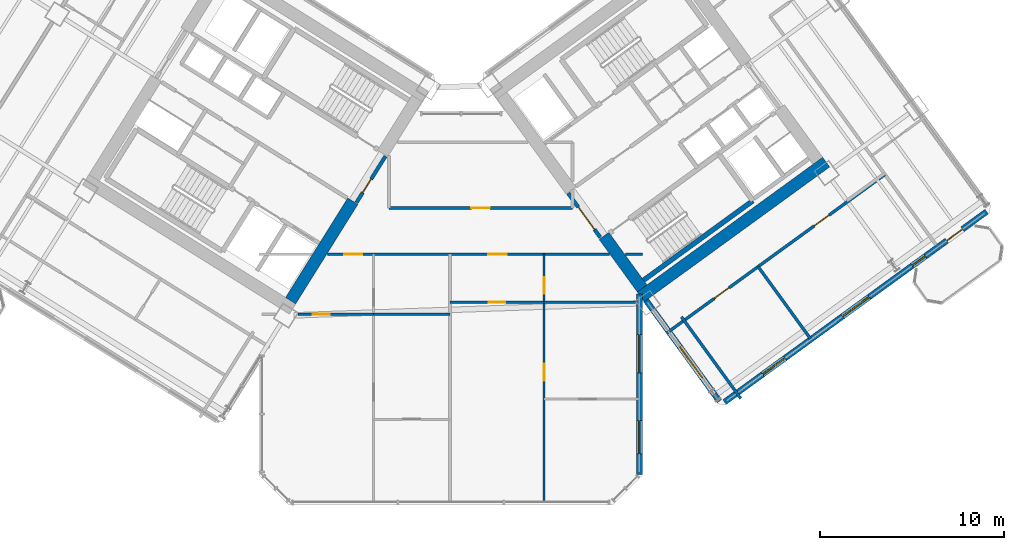
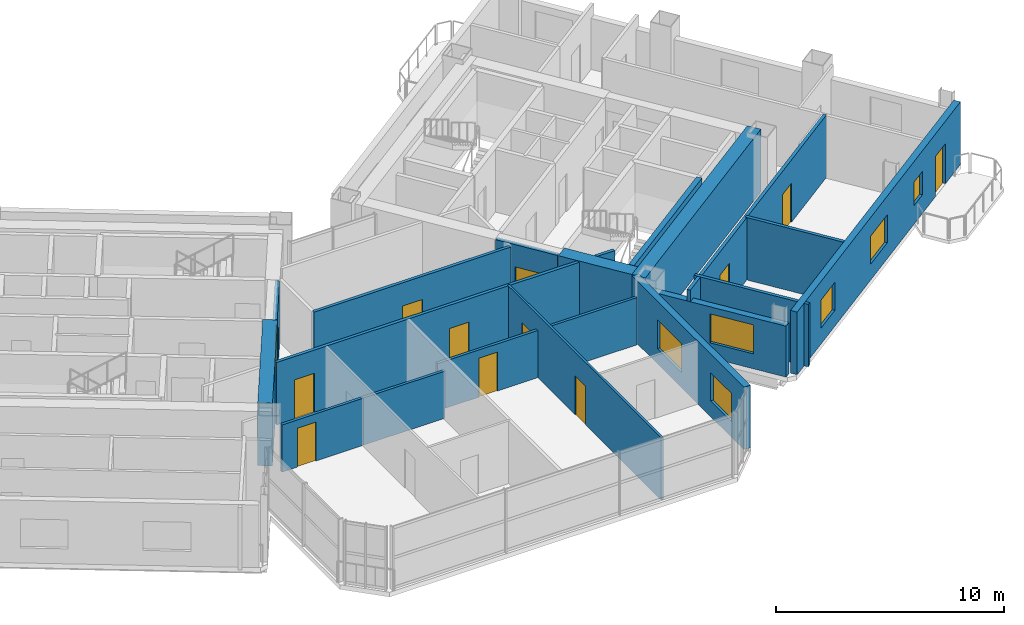
# One storey, part 17 of 28: 20 walls, 12 doors, 6 windows, 18 openings.
"""IFC4 building model written with IfcOpenShell, lengths in metres."""

import ifcopenshell
import ifcopenshell.guid

model = None  # the IFC model being written
_history = None  # IfcOwnerHistory: only IFC2X3 demands one
_inside = {}  # id of a spatial element -> (the spatial element, [elements in it])
_under = {}  # id of a project, library or spatial element -> (it, [spatial elements below it])
_declared = {}  # id of a project -> (the project, [libraries it declares])
_typed = {}  # id of a type object -> (the type object, [elements of that type])
_made_of = {}  # id of a material, layer set ... -> (it, [elements and type objects made of it])


def new_model(schema):
    """Start an empty IFC model of exactly this schema.

    Asked for "IFC4X3", IfcOpenShell would pick the latest addendum, in which some entities
    have other attributes; the version numbers below select the first issue.
    IFC2X3 requires an IfcOwnerHistory on every rooted entity: one is made here for all.
    """
    global model, _history
    if schema == "IFC4X3":
        model = ifcopenshell.file(schema_version=(4, 3, 0, 0))
    else:
        model = ifcopenshell.file(schema=schema)
    _inside.clear()
    _under.clear()
    _declared.clear()
    _typed.clear()
    _made_of.clear()
    _history = None
    if model.schema == "IFC2X3":
        org = make("IfcOrganization", Name="unknown")
        user = make(
            "IfcPersonAndOrganization",
            ThePerson=make("IfcPerson", FamilyName="unknown"),
            TheOrganization=org,
        )
        app = make(
            "IfcApplication",
            ApplicationDeveloper=org,
            Version="unknown",
            ApplicationFullName="unknown",
            ApplicationIdentifier="unknown",
        )
        _history = make(
            "IfcOwnerHistory",
            OwningUser=user,
            OwningApplication=app,
            ChangeAction="ADDED",
            CreationDate=0,
        )
    return model


def make(cls, **values):
    """One entity of the class cls with the attributes given. An attribute that is None is left unset."""
    return model.create_entity(
        cls, **{name: value for name, value in values.items() if value is not None}
    )


def rooted(cls, **values):
    """An entity with a GlobalId (a new one), such as an element, a storey or a relation."""
    return make(cls, GlobalId=ifcopenshell.guid.new(), OwnerHistory=_history, **values)


def si_unit(unit_type, name, prefix=None):
    """IfcSIUnit, for example si_unit("LENGTHUNIT", "METRE", prefix="MILLI")."""
    return make("IfcSIUnit", UnitType=unit_type, Prefix=prefix, Name=name)


def assignment(units):
    """IfcUnitAssignment: the units of a project."""
    return None if units is None else make("IfcUnitAssignment", Units=units)


def point(xyz):
    """IfcCartesianPoint."""
    return None if xyz is None else make("IfcCartesianPoint", Coordinates=xyz)


def direction(xyz):
    """IfcDirection."""
    return None if xyz is None else make("IfcDirection", DirectionRatios=xyz)


def frame(location, z_axis=None, x_axis=None):
    """IfcAxis2Placement3D, a coordinate frame: its origin and axes. An axis left out is left unset."""
    return make(
        "IfcAxis2Placement3D",
        Location=point(location),
        Axis=direction(z_axis),
        RefDirection=direction(x_axis),
    )


def frame_2d(location, x_axis=None):
    """IfcAxis2Placement2D, a coordinate frame in the plane: its origin and x axis."""
    return make(
        "IfcAxis2Placement2D", Location=point(location), RefDirection=direction(x_axis)
    )


def origin():
    """The frame at (0, 0, 0) with its axes left unset."""
    return frame((0.0, 0.0, 0.0))


def place(relative_to, where):
    """IfcLocalPlacement: puts the frame where relative to a parent placement (None: the world)."""
    return make(
        "IfcLocalPlacement", PlacementRelTo=relative_to, RelativePlacement=where
    )


def context(
    kind, dimensions, precision=None, world=None, true_north=None, identifier=None
):
    """IfcGeometricRepresentationContext, for example the 3D "Model" context."""
    return make(
        "IfcGeometricRepresentationContext",
        ContextIdentifier=identifier,
        ContextType=kind,
        CoordinateSpaceDimension=dimensions,
        Precision=precision,
        WorldCoordinateSystem=world,
        TrueNorth=true_north,
    )


def subcontext(parent, identifier, kind, view, scale=None):
    """IfcGeometricRepresentationSubContext, for example "Body" below "Model"."""
    return make(
        "IfcGeometricRepresentationSubContext",
        ContextIdentifier=identifier,
        ContextType=kind,
        ParentContext=parent,
        TargetScale=scale,
        TargetView=view,
    )


def project(units=None, contexts=None):
    """IfcProject with its units and contexts."""
    return rooted(
        "IfcProject",
        Name="project",
        RepresentationContexts=contexts,
        UnitsInContext=assignment(units),
    )


def spatial(cls, under=None, at=None, **own):
    """A site, building, storey or space (cls), placed at a placement, below another one or the project."""
    s = rooted(cls, ObjectPlacement=at, **own)
    if under is not None:
        _under.setdefault(under.id(), (under, []))[1].append(s)
    return s


def profile(cls, at=None, kind="AREA", **sizes):
    """A parametric profile (cls). Its sizes go by their IFC names, for example OverallWidth=200.0."""
    return make(cls, ProfileType=kind, Position=at, **sizes)


def rectangle(**sizes):
    """IfcRectangleProfileDef."""
    return profile("IfcRectangleProfileDef", **sizes)


def extrude(swept, where, along, depth):
    """IfcExtrudedAreaSolid: the profile swept, set in the frame where, extruded along a direction by depth."""
    return make(
        "IfcExtrudedAreaSolid",
        SweptArea=swept,
        Position=where,
        ExtrudedDirection=direction(along),
        Depth=depth,
    )


def shape(context_of_items, identifier, shape_type, items):
    """IfcShapeRepresentation: the items that make up one representation, for example the "Body"."""
    return make(
        "IfcShapeRepresentation",
        ContextOfItems=context_of_items,
        RepresentationIdentifier=identifier,
        RepresentationType=shape_type,
        Items=items,
    )


def source(mapping_origin, context_of_items, identifier, shape_type, items):
    """IfcRepresentationMap: a shape defined once, which mapped items show again and again."""
    return make(
        "IfcRepresentationMap",
        MappingOrigin=mapping_origin,
        MappedRepresentation=shape(context_of_items, identifier, shape_type, items),
    )


def transform(
    local_origin,
    x_axis=None,
    y_axis=None,
    z_axis=None,
    scale=None,
    scale2=None,
    scale3=None,
    uniform=True,
):
    """IfcCartesianTransformationOperator3D, or its non-uniform kind. x_axis, y_axis, z_axis: its Axis1, 2, 3."""
    if uniform:
        return make(
            "IfcCartesianTransformationOperator3D",
            Axis1=direction(x_axis),
            Axis2=direction(y_axis),
            LocalOrigin=point(local_origin),
            Scale=scale,
            Axis3=direction(z_axis),
        )
    return make(
        "IfcCartesianTransformationOperator3DnonUniform",
        Axis1=direction(x_axis),
        Axis2=direction(y_axis),
        LocalOrigin=point(local_origin),
        Scale=scale,
        Axis3=direction(z_axis),
        Scale2=scale2,
        Scale3=scale3,
    )


def mapped(mapping_source, mapping_target):
    """IfcMappedItem: shows the shape of a source again, moved by a transform."""
    return make(
        "IfcMappedItem", MappingSource=mapping_source, MappingTarget=mapping_target
    )


def material(Name=None, Category=None):
    """IfcMaterial."""
    return make("IfcMaterial", Name=Name, Category=Category)


def layer(
    of_material, thickness, ventilated=None, Name=None, Category=None, Priority=None
):
    """IfcMaterialLayer: one layer of a wall or slab, of a material (None: an air gap)."""
    return make(
        "IfcMaterialLayer",
        Material=of_material,
        LayerThickness=thickness,
        IsVentilated=ventilated,
        Name=Name,
        Category=Category,
        Priority=Priority,
    )


def layer_set(layers, Name=None):
    """IfcMaterialLayerSet."""
    return make("IfcMaterialLayerSet", MaterialLayers=layers, LayerSetName=Name)


def made_of(thing, what):
    """Note that an element or type object is made of a material, layer set ...; save() writes the relation."""
    if what is not None:
        _made_of.setdefault(what.id(), (what, []))[1].append(thing)
    return thing


def type_object(cls, material=None, **own):
    """A type object (cls), such as IfcWallType, which elements share."""
    return made_of(rooted(cls, **own), material)


def element(
    cls,
    number,
    at=None,
    inside=None,
    cuts=None,
    type_object=None,
    material=None,
    context=None,
    identifier="Body",
    shape_type=None,
    held_by="IfcProductDefinitionShape",
    body=None,
    shapes=None,
    **own,
):
    """One element of the class cls, such as IfcWall. Its Tag is "e" and its number.

    at: its placement. inside: the storey or other place that contains it. cuts: it is an
    opening in that element (IfcRelVoidsElement). A single representation is given by context,
    identifier, shape_type and body (its items); several are given by shapes. held_by: the class
    of the entity that holds the representations. save() writes the other relations.
    """
    e = rooted(cls, Tag="e%d" % number, ObjectPlacement=at, **own)
    if body is not None:
        shapes = [shape(context, identifier, shape_type, body)]
    if shapes is not None:
        e.Representation = make(held_by, Representations=shapes)
    if inside is not None:
        _inside.setdefault(inside.id(), (inside, []))[1].append(e)
    if cuts is not None:
        rooted(
            "IfcRelVoidsElement", RelatingBuildingElement=cuts, RelatedOpeningElement=e
        )
    if type_object is not None:
        _typed.setdefault(type_object.id(), (type_object, []))[1].append(e)
    return made_of(e, material)


def fill(opening, filler):
    """IfcRelFillsElement: the door or window that sits in an opening."""
    return rooted(
        "IfcRelFillsElement",
        RelatingOpeningElement=opening,
        RelatedBuildingElement=filler,
    )


def aggregate(whole, parts):
    """IfcRelAggregates: a whole, such as a stair, and the parts it consists of."""
    return rooted("IfcRelAggregates", RelatingObject=whole, RelatedObjects=parts)


def save(model, path):
    """Write the relations noted so far, then the file.

    IfcRelAggregates (storeys below a building ...), IfcRelContainedInSpatialStructure (elements
    in a storey), IfcRelDefinesByType, IfcRelAssociatesMaterial and IfcRelDeclares: one each for
    every whole, place, type object, material and project.
    """
    for whole, parts in _under.values():
        aggregate(whole, parts)
    for where, things in _inside.values():
        rooted(
            "IfcRelContainedInSpatialStructure",
            RelatedElements=things,
            RelatingStructure=where,
        )
    for kind, things in _typed.values():
        rooted("IfcRelDefinesByType", RelatedObjects=things, RelatingType=kind)
    for what, things in _made_of.values():
        rooted("IfcRelAssociatesMaterial", RelatedObjects=things, RelatingMaterial=what)
    for by, libraries in _declared.values():
        rooted("IfcRelDeclares", RelatingContext=by, RelatedDefinitions=libraries)
    model.write(path)


model = new_model("IFC4")

# Units and contexts
model_context = context("Model", 3, precision=1e-05, world=origin(), true_north=direction((0.0, 1.0)))
body_context = subcontext(model_context, "Body", "Model", "MODEL_VIEW")
ifc_project = project(units=[si_unit("LENGTHUNIT", "METRE"), si_unit("AREAUNIT", "SQUARE_METRE"), si_unit("VOLUMEUNIT", "CUBIC_METRE"), si_unit("PLANEANGLEUNIT", "RADIAN"), si_unit("MASSUNIT", "GRAM", prefix="KILO")], contexts=[model_context])

# Site, building, storey
site_placement = place(None, origin())
site = spatial("IfcSite", under=ifc_project, at=site_placement, CompositionType="ELEMENT")
building_placement = place(site_placement, origin())
building = spatial("IfcBuilding", under=site, at=building_placement, Name="Tlacorven Tower", CompositionType="ELEMENT")
storey_placement = place(building_placement, frame((0.0, 0.0, 42.0)))
storey = spatial("IfcBuildingStorey", under=building, at=storey_placement, Name="L10", CompositionType="ELEMENT", Elevation=42.0)

# Walls
ifc_material_1 = material(Name="Concrete C60/75", Category="concrete")
ifc_layer_1 = layer(ifc_material_1, 0.64990234375)
ifc_layer_set_1 = layer_set([ifc_layer_1], Name="Concrete C60/75")
wall_type_1 = type_object("IfcWallType", Name="WL-COR-650", PredefinedType="SHEAR", material=ifc_layer_set_1)
wall_1_placement = place(storey_placement, frame((36.683349609375, 18.30419921875, 0.0), z_axis=(0.0, 0.0, 1.0), x_axis=(-0.529899109053, -0.848060690178, 0.0)))
element("IfcWall", 1, at=wall_1_placement, inside=storey, type_object=wall_type_1, Name="L10 W core end wall E1.2", PredefinedType="SHEAR", context=body_context, shape_type="SweptSolid", body=[
    extrude(rectangle(XDim=6.375244140625, YDim=0.64990234375, at=frame_2d((3.1875, 0.0))), origin(), (0.0, 0.0, 1.0), 3.35009765625),
])
wall_2_placement = place(storey_placement, frame((52.318359375, 13.1103515625, 0.0), z_axis=(0.0, 0.0, 1.0), x_axis=(0.809019445368, 0.587781878776, 0.0)))
element("IfcWall", 2, at=wall_2_placement, inside=storey, type_object=wall_type_1, Name="L10 E core shear wall S1", PredefinedType="SHEAR", context=body_context, shape_type="SweptSolid", body=[
    extrude(rectangle(XDim=12.43994140625, YDim=0.64990234375, at=frame_2d((6.219970703125, 0.0))), origin(), (0.0, 0.0, 1.0), 3.35009765625),
])
wall_3_placement = place(storey_placement, frame((52.390380859375, 13.564208984375, 0.0), z_axis=(0.0, 0.0, 1.0), x_axis=(-0.58779688989, 0.809008539037, 0.0)))
element("IfcWall", 3, at=wall_3_placement, inside=storey, type_object=wall_type_1, Name="L10 E core end wall E1.1", PredefinedType="SHEAR", context=body_context, shape_type="SweptSolid", body=[
    extrude(rectangle(XDim=3.525146484375, YDim=0.64990234375, at=frame_2d((1.7626953125, 0.0))), origin(), (0.0, 0.0, 1.0), 3.35009765625),
])

# Wall, openings, doors
ifc_material_2 = material(Name="Gypsum plasterboard acoustic partition", Category="gypsum")
ifc_layer_2 = layer(ifc_material_2, 0.159912109375)
ifc_layer_set_2 = layer_set([ifc_layer_2], Name="Gypsum plasterboard acoustic partition")
wall_type_2 = type_object("IfcWallType", Name="WL-DEM-160", PredefinedType="PARTITIONING", material=ifc_layer_set_2)
wall_4_placement = place(storey_placement, frame((35.29638671875, 15.419921875, 0.0), z_axis=(0.0, 0.0, 1.0), x_axis=(1.0, 0.0, 0.0)))
wall_4 = element("IfcWall", 4, at=wall_4_placement, inside=storey, type_object=wall_type_2, Name="L10 Knuckle Corridor South Wall", PredefinedType="PARTITIONING", context=body_context, shape_type="SweptSolid", body=[
    extrude(rectangle(XDim=15.310546875, YDim=0.159912109375, at=frame_2d((7.6552734375, 0.0))), origin(), (0.0, 0.0, 1.0), 3.340087890625),
])
opening_1_placement = place(wall_4_placement, frame((0.91015625, 0.0, 0.0)))
opening_1 = element("IfcOpeningElement", 5, at=opening_1_placement, cuts=wall_4, Name="Opening D11", PredefinedType="OPENING", context=body_context, shape_type="SweptSolid", body=[
    extrude(rectangle(XDim=1.0, YDim=2.10009765625, at=frame_2d((0.5, 1.050048828125))), frame((0.0, 0.08984375, 0.0), z_axis=(0.0, -1.0, 0.0), x_axis=(1.0, 0.0, 0.0)), (0.0, 0.0, 1.0), 0.179931640625),
])
opening_2_placement = place(wall_4_placement, frame((8.73974609375, 0.0, 0.0)))
opening_2 = element("IfcOpeningElement", 6, at=opening_2_placement, cuts=wall_4, Name="Opening D11", PredefinedType="OPENING", context=body_context, shape_type="SweptSolid", body=[
    extrude(rectangle(XDim=1.0, YDim=2.10009765625, at=frame_2d((0.5, 1.050048828125))), frame((0.0, 0.08984375, 0.0), z_axis=(0.0, -1.0, 0.0), x_axis=(1.0, 0.0, 0.0)), (0.0, 0.0, 1.0), 0.179931640625),
])
ifc_material_3 = material(Name="Fire-rated steel door assembly", Category="steel")
door_type_1 = type_object("IfcDoorType", Name="DR-FLT-FD60-1000", OperationType="NOTDEFINED", PredefinedType="DOOR", material=ifc_material_3)
shared_shape_1 = source(origin(), body_context, "Body", "SweptSolid", [
    extrude(rectangle(XDim=1.0, YDim=2.10009765625, at=frame_2d((0.5, 1.050048828125))), frame((0.0, 0.02490234375, 0.0), z_axis=(0.0, -1.0, 0.0), x_axis=(1.0, 0.0, 0.0)), (0.0, 0.0, 1.0), 0.050048828125),
])
door_1_placement = place(opening_1_placement, frame((1.0, 0.0, 0.0), z_axis=(0.0, 0.0, 1.0), x_axis=(-1.0, 0.0, 0.0)))
door_1 = element("IfcDoor", 7, at=door_1_placement, inside=storey, type_object=door_type_1, Name="L10 door 043", OperationType="SINGLE_SWING_LEFT", OverallHeight=2.10009765625, OverallWidth=1.0, PredefinedType="DOOR", context=body_context, shape_type="MappedRepresentation", body=[
    mapped(shared_shape_1, transform((0.0, 0.0, 0.0), scale=1.0)),
])
fill(opening_1, door_1)
door_2_placement = place(opening_2_placement, frame((1.0, 0.0, 0.0), z_axis=(0.0, 0.0, 1.0), x_axis=(-1.0, 0.0, 0.0)))
door_2 = element("IfcDoor", 8, at=door_2_placement, inside=storey, type_object=door_type_1, Name="L10 door 048", OperationType="SINGLE_SWING_RIGHT", OverallHeight=2.10009765625, OverallWidth=1.0, PredefinedType="DOOR", context=body_context, shape_type="MappedRepresentation", body=[
    mapped(shared_shape_1, transform((0.0, 0.0, 0.0), scale=1.0)),
])
fill(opening_2, door_2)

# Wall
wall_5_placement = place(storey_placement, frame((51.477294921875, 15.419921875, 0.0), z_axis=(0.0, 0.0, 1.0), x_axis=(1.0, 0.0, 0.0)))
element("IfcWall", 9, at=wall_5_placement, inside=storey, type_object=wall_type_2, Name="L10 Knuckle Corridor South Wall", PredefinedType="PARTITIONING", context=body_context, shape_type="SweptSolid", body=[
    extrude(rectangle(XDim=0.922607421875, YDim=0.159912109375, at=frame_2d((0.46142578125, 0.0))), origin(), (0.0, 0.0, 1.0), 3.340087890625),
])

# Wall, opening, door
wall_6_placement = place(storey_placement, frame((38.64990234375, 17.929931640625, 0.0), z_axis=(0.0, 0.0, 1.0), x_axis=(1.0, 0.0, 0.0)))
wall_6 = element("IfcWall", 10, at=wall_6_placement, inside=storey, type_object=wall_type_2, Name="L10 partition 72", PredefinedType="PARTITIONING", context=body_context, shape_type="SweptSolid", body=[
    extrude(rectangle(XDim=9.9501953125, YDim=0.159912109375, at=frame_2d((4.97509765625, 0.0))), origin(), (0.0, 0.0, 1.0), 3.340087890625),
])
opening_3_placement = place(wall_6_placement, frame((4.47509765625, 0.0, 0.0)))
opening_3 = element("IfcOpeningElement", 11, at=opening_3_placement, cuts=wall_6, Name="Opening D11", PredefinedType="OPENING", context=body_context, shape_type="SweptSolid", body=[
    extrude(rectangle(XDim=1.0, YDim=2.10009765625, at=frame_2d((0.5, 1.050048828125))), frame((0.0, 0.08984375, 0.0), z_axis=(0.0, -1.0, 0.0), x_axis=(1.0, 0.0, 0.0)), (0.0, 0.0, 1.0), 0.179931640625),
])
door_3_placement = place(opening_3_placement, origin())
door_3 = element("IfcDoor", 12, at=door_3_placement, inside=storey, type_object=door_type_1, Name="L10 door 038", OperationType="SINGLE_SWING_RIGHT", OverallHeight=2.10009765625, OverallWidth=1.0, PredefinedType="DOOR", context=body_context, shape_type="MappedRepresentation", body=[
    mapped(shared_shape_1, transform((0.0, 0.0, 0.0), scale=1.0)),
])
fill(opening_3, door_3)

# Wall, openings, doors
wall_7_placement = place(storey_placement, frame((53.70458984375, 11.1259765625, 0.0), z_axis=(0.0, 0.0, 1.0), x_axis=(0.809014504436, 0.587788679384, 0.0)))
wall_7 = element("IfcWall", 13, at=wall_7_placement, inside=storey, type_object=wall_type_2, Name="L10 partition 95", PredefinedType="PARTITIONING", context=body_context, shape_type="SweptSolid", body=[
    extrude(rectangle(XDim=14.669921875, YDim=0.159912109375, at=frame_2d((7.3349609375, 0.0))), origin(), (0.0, 0.0, 1.0), 3.340087890625),
])
opening_4_placement = place(wall_7_placement, frame((3.215087890625, 0.0, 0.0)))
opening_4 = element("IfcOpeningElement", 14, at=opening_4_placement, cuts=wall_7, Name="Opening D11", PredefinedType="OPENING", context=body_context, shape_type="SweptSolid", body=[
    extrude(rectangle(XDim=1.0, YDim=2.10009765625, at=frame_2d((0.5, 1.050048828125))), frame((0.0, 0.08984375, 0.0), z_axis=(0.0, -1.0, 0.0), x_axis=(1.0, 0.0, 0.0)), (0.0, 0.0, 1.0), 0.179931640625),
])
opening_5_placement = place(wall_7_placement, frame((9.9150390625, 0.0, 0.0)))
opening_5 = element("IfcOpeningElement", 15, at=opening_5_placement, cuts=wall_7, Name="Opening D11", PredefinedType="OPENING", context=body_context, shape_type="SweptSolid", body=[
    extrude(rectangle(XDim=1.0, YDim=2.10009765625, at=frame_2d((0.5, 1.050048828125))), frame((0.0, 0.08984375, 0.0), z_axis=(0.0, -1.0, 0.0), x_axis=(1.0, 0.0, 0.0)), (0.0, 0.0, 1.0), 0.179931640625),
])
door_4_placement = place(opening_4_placement, origin())
door_4 = element("IfcDoor", 16, at=door_4_placement, inside=storey, type_object=door_type_1, Name="L10 door 056", OperationType="SINGLE_SWING_RIGHT", OverallHeight=2.10009765625, OverallWidth=1.0, PredefinedType="DOOR", context=body_context, shape_type="MappedRepresentation", body=[
    mapped(shared_shape_1, transform((0.0, 0.0, 0.0), scale=1.0)),
])
fill(opening_4, door_4)
door_5_placement = place(opening_5_placement, origin())
door_5 = element("IfcDoor", 17, at=door_5_placement, inside=storey, type_object=door_type_1, Name="L10 door 057", OperationType="SINGLE_SWING_LEFT", OverallHeight=2.10009765625, OverallWidth=1.0, PredefinedType="DOOR", context=body_context, shape_type="MappedRepresentation", body=[
    mapped(shared_shape_1, transform((0.0, 0.0, 0.0), scale=1.0)),
])
fill(opening_5, door_5)

# Walls
wall_8_placement = place(storey_placement, frame((57.747314453125, 7.586181640625, 0.0), z_axis=(0.0, 0.0, 1.0), x_axis=(-0.587784893399, 0.809017255126, 0.0)))
element("IfcWall", 18, at=wall_8_placement, inside=storey, type_object=wall_type_2, Name="L10 EC West Throat Wall", PredefinedType="PARTITIONING", context=body_context, shape_type="SweptSolid", body=[
    extrude(rectangle(XDim=5.480224609375, YDim=0.159912109375, at=frame_2d((2.740234375, 0.0))), origin(), (0.0, 0.0, 1.0), 3.340087890625),
])
wall_9_placement = place(storey_placement, frame((61.538818359375, 10.822998046875, 0.0), z_axis=(0.0, 0.0, 1.0), x_axis=(-0.587785532001, 0.809016791155, 0.0)))
element("IfcWall", 19, at=wall_9_placement, inside=storey, type_object=wall_type_2, Name="L10 EC Demising Wall 1", PredefinedType="PARTITIONING", context=body_context, shape_type="SweptSolid", body=[
    extrude(rectangle(XDim=4.85009765625, YDim=0.159912109375, at=frame_2d((2.425048828125, 0.0))), origin(), (0.0, 0.0, 1.0), 3.340087890625),
])

# Wall, openings, door, windows
ifc_material_4 = material(Name="Precast concrete C45/55", Category="concrete")
ifc_layer_3 = layer(ifc_material_4, 0.320068359375)
ifc_layer_set_3 = layer_set([ifc_layer_3], Name="Precast concrete C45/55")
wall_type_3 = type_object("IfcWallType", Name="WL-EXT-320", PredefinedType="STANDARD", material=ifc_layer_set_3)
wall_10_placement = place(storey_placement, frame((71.097900390625, 17.73095703125, 0.0), z_axis=(0.0, 0.0, 1.0), x_axis=(-0.809021120468, -0.587779573171, 0.0)))
wall_10 = element("IfcWall", 20, at=wall_10_placement, inside=storey, type_object=wall_type_3, Name="L10 Masonry-Frame Recessed Facade Wall 6", PredefinedType="STANDARD", context=body_context, shape_type="SweptSolid", body=[
    extrude(rectangle(XDim=17.587646484375, YDim=0.320068359375, at=frame_2d((8.7939453125, 0.0))), origin(), (0.0, 0.0, 1.0), 3.35009765625),
])
opening_6_placement = place(wall_10_placement, frame((1.623779296875, 0.0, 0.0)))
opening_6 = element("IfcOpeningElement", 21, at=opening_6_placement, cuts=wall_10, Name="Opening D06", PredefinedType="OPENING", context=body_context, shape_type="SweptSolid", body=[
    extrude(rectangle(XDim=1.050048828125, YDim=2.14990234375, at=frame_2d((0.52490234375, 1.074951171875))), frame((0.0, 0.169921875, 0.0), z_axis=(0.0, -1.0, 0.0), x_axis=(1.0, 0.0, 0.0)), (0.0, 0.0, 1.0), 0.340087890625),
])
opening_7_placement = place(wall_10_placement, frame((4.103759765625, 0.0, 1.0)))
opening_7 = element("IfcOpeningElement", 22, at=opening_7_placement, cuts=wall_10, Name="Opening WN05", PredefinedType="OPENING", context=body_context, shape_type="SweptSolid", body=[
    extrude(rectangle(XDim=0.89990234375, YDim=1.25, at=frame_2d((0.449951171875, 0.625))), frame((0.0, 0.169921875, 0.0), z_axis=(0.0, -1.0, 0.0), x_axis=(1.0, 0.0, 0.0)), (0.0, 0.0, 1.0), 0.340087890625),
])
opening_8_placement = place(wall_10_placement, frame((7.878662109375, 0.0, 0.85009765625)))
opening_8 = element("IfcOpeningElement", 23, at=opening_8_placement, cuts=wall_10, Name="Opening WN01", PredefinedType="OPENING", context=body_context, shape_type="SweptSolid", body=[
    extrude(rectangle(XDim=1.800048828125, YDim=1.5, at=frame_2d((0.89990234375, 0.75))), frame((0.0, 0.169921875, 0.0), z_axis=(0.0, -1.0, 0.0), x_axis=(1.0, 0.0, 0.0)), (0.0, 0.0, 1.0), 0.340087890625),
])
opening_9_placement = place(wall_10_placement, frame((13.52880859375, 0.0, 0.85009765625)))
opening_9 = element("IfcOpeningElement", 24, at=opening_9_placement, cuts=wall_10, Name="Opening WN02", PredefinedType="OPENING", context=body_context, shape_type="SweptSolid", body=[
    extrude(rectangle(XDim=1.5, YDim=1.5, at=frame_2d((0.75, 0.75))), frame((0.0, 0.169921875, 0.0), z_axis=(0.0, -1.0, 0.0), x_axis=(1.0, 0.0, 0.0)), (0.0, 0.0, 1.0), 0.340087890625),
])
ifc_material_5 = material(Name="Powder-coated aluminium and timber door", Category="wood")
door_type_2 = type_object("IfcDoorType", Name="DR-EXT-BALC-1050", OperationType="NOTDEFINED", PredefinedType="DOOR", material=ifc_material_5)
shared_shape_2 = source(origin(), body_context, "Body", "SweptSolid", [
    extrude(rectangle(XDim=1.050048828125, YDim=2.14990234375, at=frame_2d((0.52490234375, 1.074951171875))), frame((0.0, 0.02490234375, 0.0), z_axis=(0.0, -1.0, 0.0), x_axis=(1.0, 0.0, 0.0)), (0.0, 0.0, 1.0), 0.050048828125),
])
door_6_placement = place(opening_6_placement, origin())
door_6 = element("IfcDoor", 25, at=door_6_placement, inside=storey, type_object=door_type_2, Name="L10 Outdoor Access Door BAL-L10-E-OUT", OperationType="SINGLE_SWING_LEFT", OverallHeight=2.14990234375, OverallWidth=1.050048828125, PredefinedType="DOOR", context=body_context, shape_type="MappedRepresentation", body=[
    mapped(shared_shape_2, transform((0.0, 0.0, 0.0), scale=1.0)),
])
fill(opening_6, door_6)
ifc_material_6 = material(Name="Dark solar low-E double glazing in anodised aluminium frame", Category="aluminium")
window_type_1 = type_object("IfcWindowType", Name="WN-APT-1800X1650", PartitioningType="SINGLE_PANEL", PredefinedType="WINDOW", material=ifc_material_6)
shared_shape_3 = source(origin(), body_context, "Body", "SweptSolid", [
    extrude(rectangle(XDim=1.800048828125, YDim=1.5, at=frame_2d((0.89990234375, 0.75))), frame((0.0, 0.030029296875, 0.0), z_axis=(0.0, -1.0, 0.0), x_axis=(1.0, 0.0, 0.0)), (0.0, 0.0, 1.0), 0.06005859375),
])
window_1_placement = place(opening_8_placement, origin())
window_1 = element("IfcWindow", 26, at=window_1_placement, inside=storey, type_object=window_type_1, Name="L10 Recessed Masonry-Frame Window L10-06.2", OverallHeight=1.5, OverallWidth=1.800048828125, PartitioningType="SINGLE_PANEL", PredefinedType="WINDOW", context=body_context, shape_type="MappedRepresentation", body=[
    mapped(shared_shape_3, transform((0.0, 0.0, 0.0), scale=1.0)),
])
fill(opening_8, window_1)
window_type_2 = type_object("IfcWindowType", Name="WN-APT-1500X1650", PartitioningType="SINGLE_PANEL", PredefinedType="WINDOW", material=ifc_material_6)
shared_shape_4 = source(origin(), body_context, "Body", "SweptSolid", [
    extrude(rectangle(XDim=1.5, YDim=1.5, at=frame_2d((0.75, 0.75))), frame((0.0, 0.030029296875, 0.0), z_axis=(0.0, -1.0, 0.0), x_axis=(1.0, 0.0, 0.0)), (0.0, 0.0, 1.0), 0.06005859375),
])
window_2_placement = place(opening_9_placement, origin())
window_2 = element("IfcWindow", 27, at=window_2_placement, inside=storey, type_object=window_type_2, Name="L10 Recessed Masonry-Frame Window L10-06.3", OverallHeight=1.5, OverallWidth=1.5, PartitioningType="SINGLE_PANEL", PredefinedType="WINDOW", context=body_context, shape_type="MappedRepresentation", body=[
    mapped(shared_shape_4, transform((0.0, 0.0, 0.0), scale=1.0)),
])
fill(opening_9, window_2)
window_type_3 = type_object("IfcWindowType", Name="WN-APT-0900X1350", PartitioningType="SINGLE_PANEL", PredefinedType="WINDOW", material=ifc_material_6)
shared_shape_5 = source(origin(), body_context, "Body", "SweptSolid", [
    extrude(rectangle(XDim=0.89990234375, YDim=1.25, at=frame_2d((0.449951171875, 0.625))), frame((0.0, 0.030029296875, 0.0), z_axis=(0.0, -1.0, 0.0), x_axis=(1.0, 0.0, 0.0)), (0.0, 0.0, 1.0), 0.06005859375),
])
window_3_placement = place(opening_7_placement, origin())
window_3 = element("IfcWindow", 28, at=window_3_placement, inside=storey, type_object=window_type_3, Name="L10 Recessed Masonry-Frame Window L10-06.1", OverallHeight=1.25, OverallWidth=0.89990234375, PartitioningType="SINGLE_PANEL", PredefinedType="WINDOW", context=body_context, shape_type="MappedRepresentation", body=[
    mapped(shared_shape_5, transform((0.0, 0.0, 0.0), scale=1.0)),
])
fill(opening_7, window_3)

# Wall, opening, window
wall_11_placement = place(storey_placement, frame((56.5810546875, 7.43896484375, 0.0), z_axis=(0.0, 0.0, 1.0), x_axis=(-0.587785875463, 0.809016541614, 0.0)))
wall_11 = element("IfcWall", 29, at=wall_11_placement, inside=storey, type_object=wall_type_3, Name="L10 Masonry-Frame Recessed Facade Wall 7", PredefinedType="STANDARD", context=body_context, shape_type="SweptSolid", body=[
    extrude(rectangle(XDim=6.773681640625, YDim=0.320068359375, at=frame_2d((3.38671875, 0.0))), origin(), (0.0, 0.0, 1.0), 2.72509765625),
])
opening_10_placement = place(wall_11_placement, frame((1.55615234375, 0.0, 0.800048828125)))
opening_10 = element("IfcOpeningElement", 30, at=opening_10_placement, cuts=wall_11, Name="Opening WN04", PredefinedType="OPENING", context=body_context, shape_type="SweptSolid", body=[
    extrude(rectangle(XDim=2.10009765625, YDim=1.550048828125, at=frame_2d((1.050048828125, 0.77490234375))), frame((0.0, 0.169921875, 0.0), z_axis=(0.0, -1.0, 0.0), x_axis=(1.0, 0.0, 0.0)), (0.0, 0.0, 1.0), 0.340087890625),
])
window_type_4 = type_object("IfcWindowType", Name="WN-APT-2100X1750", PartitioningType="SINGLE_PANEL", PredefinedType="WINDOW", material=ifc_material_6)
shared_shape_6 = source(origin(), body_context, "Body", "SweptSolid", [
    extrude(rectangle(XDim=2.10009765625, YDim=1.550048828125, at=frame_2d((1.050048828125, 0.77490234375))), frame((0.0, 0.030029296875, 0.0), z_axis=(0.0, -1.0, 0.0), x_axis=(1.0, 0.0, 0.0)), (0.0, 0.0, 1.0), 0.06005859375),
])
window_4_placement = place(opening_10_placement, origin())
window_4 = element("IfcWindow", 31, at=window_4_placement, inside=storey, type_object=window_type_4, Name="L10 Recessed Masonry-Frame Window L10-07.1", OverallHeight=1.550048828125, OverallWidth=2.10009765625, PartitioningType="SINGLE_PANEL", PredefinedType="WINDOW", context=body_context, shape_type="MappedRepresentation", body=[
    mapped(shared_shape_6, transform((0.0, 0.0, 0.0), scale=1.0)),
])
fill(opening_10, window_4)

# Wall, openings, windows
wall_12_placement = place(storey_placement, frame((52.239990234375, 13.260986328125, 0.0), z_axis=(0.0, 0.0, 1.0), x_axis=(0.0, -1.0, 0.0)))
wall_12 = element("IfcWall", 32, at=wall_12_placement, inside=storey, type_object=wall_type_3, Name="L10 Masonry-Frame Recessed Facade Wall 8", PredefinedType="STANDARD", context=body_context, shape_type="SweptSolid", body=[
    extrude(rectangle(XDim=9.794677734375, YDim=0.320068359375, at=frame_2d((4.8974609375, 0.0))), origin(), (0.0, 0.0, 1.0), 3.35009765625),
])
opening_11_placement = place(wall_12_placement, frame((2.199462890625, 0.0, 0.800048828125)))
opening_11 = element("IfcOpeningElement", 33, at=opening_11_placement, cuts=wall_12, Name="Opening WN04", PredefinedType="OPENING", context=body_context, shape_type="SweptSolid", body=[
    extrude(rectangle(XDim=2.10009765625, YDim=1.550048828125, at=frame_2d((1.050048828125, 0.77490234375))), frame((0.0, 0.169921875, 0.0), z_axis=(0.0, -1.0, 0.0), x_axis=(1.0, 0.0, 0.0)), (0.0, 0.0, 1.0), 0.340087890625),
])
opening_12_placement = place(wall_12_placement, frame((6.880126953125, 0.0, 0.85009765625)))
opening_12 = element("IfcOpeningElement", 34, at=opening_12_placement, cuts=wall_12, Name="Opening WN01", PredefinedType="OPENING", context=body_context, shape_type="SweptSolid", body=[
    extrude(rectangle(XDim=1.800048828125, YDim=1.5, at=frame_2d((0.89990234375, 0.75))), frame((0.0, 0.169921875, 0.0), z_axis=(0.0, -1.0, 0.0), x_axis=(1.0, 0.0, 0.0)), (0.0, 0.0, 1.0), 0.340087890625),
])
window_5_placement = place(opening_11_placement, origin())
window_5 = element("IfcWindow", 35, at=window_5_placement, inside=storey, type_object=window_type_4, Name="L10 Recessed Masonry-Frame Window L10-08.1", OverallHeight=1.550048828125, OverallWidth=2.10009765625, PartitioningType="SINGLE_PANEL", PredefinedType="WINDOW", context=body_context, shape_type="MappedRepresentation", body=[
    mapped(shared_shape_6, transform((0.0, 0.0, 0.0), scale=1.0)),
])
fill(opening_11, window_5)
window_6_placement = place(opening_12_placement, origin())
window_6 = element("IfcWindow", 36, at=window_6_placement, inside=storey, type_object=window_type_1, Name="L10 Recessed Masonry-Frame Window L10-08.2", OverallHeight=1.5, OverallWidth=1.800048828125, PartitioningType="SINGLE_PANEL", PredefinedType="WINDOW", context=body_context, shape_type="MappedRepresentation", body=[
    mapped(shared_shape_3, transform((0.0, 0.0, 0.0), scale=1.0)),
])
fill(opening_12, window_6)

# Wall, openings, doors
ifc_material_7 = material(Name="Gypsum plasterboard partition", Category="gypsum")
ifc_layer_4 = layer(ifc_material_7, 0.110107421875)
ifc_layer_set_4 = layer_set([ifc_layer_4], Name="Gypsum plasterboard partition")
wall_type_4 = type_object("IfcWallType", Name="WL-INT-110", PredefinedType="PARTITIONING", material=ifc_layer_set_4)
wall_13_placement = place(storey_placement, frame((47.072021484375, 1.9599609375, 0.0), z_axis=(0.0, 0.0, 1.0), x_axis=(0.0, 1.0, 0.0)))
wall_13 = element("IfcWall", 37, at=wall_13_placement, inside=storey, type_object=wall_type_4, Name="L10 partition 82", PredefinedType="PARTITIONING", context=body_context, shape_type="SweptSolid", body=[
    extrude(rectangle(XDim=13.4599609375, YDim=0.110107421875, at=frame_2d((6.72998046875, 0.0))), origin(), (0.0, 0.0, 1.0), 3.340087890625),
])
opening_13_placement = place(wall_13_placement, frame((6.60009765625, 0.0, 0.0)))
opening_13 = element("IfcOpeningElement", 38, at=opening_13_placement, cuts=wall_13, Name="Opening D12", PredefinedType="OPENING", context=body_context, shape_type="SweptSolid", body=[
    extrude(rectangle(XDim=0.919921875, YDim=2.080078125, at=frame_2d((0.4599609375, 1.0400390625))), frame((0.0, 0.06494140625, 0.0), z_axis=(0.0, -1.0, 0.0), x_axis=(1.0, 0.0, 0.0)), (0.0, 0.0, 1.0), 0.130126953125),
])
opening_14_placement = place(wall_13_placement, frame((11.320068359375, 0.0, 0.0)))
opening_14 = element("IfcOpeningElement", 39, at=opening_14_placement, cuts=wall_13, Name="Opening D13", PredefinedType="OPENING", context=body_context, shape_type="SweptSolid", body=[
    extrude(rectangle(XDim=0.8798828125, YDim=2.080078125, at=frame_2d((0.43994140625, 1.0400390625))), frame((0.0, 0.06494140625, 0.0), z_axis=(0.0, -1.0, 0.0), x_axis=(1.0, 0.0, 0.0)), (0.0, 0.0, 1.0), 0.130126953125),
])
door_type_3 = type_object("IfcDoorType", Name="DR-INT-WET-0880", OperationType="NOTDEFINED", PredefinedType="DOOR", material=ifc_material_5)
shared_shape_7 = source(origin(), body_context, "Body", "SweptSolid", [
    extrude(rectangle(XDim=0.8798828125, YDim=2.080078125, at=frame_2d((0.43994140625, 1.0400390625))), frame((0.0, 0.02490234375, 0.0), z_axis=(0.0, -1.0, 0.0), x_axis=(1.0, 0.0, 0.0)), (0.0, 0.0, 1.0), 0.050048828125),
])
door_7_placement = place(opening_14_placement, origin())
door_7 = element("IfcDoor", 40, at=door_7_placement, inside=storey, type_object=door_type_3, Name="L10 door 050", OperationType="SINGLE_SWING_RIGHT", OverallHeight=2.080078125, OverallWidth=0.8798828125, PredefinedType="DOOR", context=body_context, shape_type="MappedRepresentation", body=[
    mapped(shared_shape_7, transform((0.0, 0.0, 0.0), scale=1.0)),
])
fill(opening_14, door_7)
door_type_4 = type_object("IfcDoorType", Name="DR-INT-ROOM-0920", OperationType="NOTDEFINED", PredefinedType="DOOR", material=ifc_material_5)
shared_shape_8 = source(origin(), body_context, "Body", "SweptSolid", [
    extrude(rectangle(XDim=0.919921875, YDim=2.080078125, at=frame_2d((0.4599609375, 1.0400390625))), frame((0.0, 0.02490234375, 0.0), z_axis=(0.0, -1.0, 0.0), x_axis=(1.0, 0.0, 0.0)), (0.0, 0.0, 1.0), 0.050048828125),
])
door_8_placement = place(opening_13_placement, origin())
door_8 = element("IfcDoor", 41, at=door_8_placement, inside=storey, type_object=door_type_4, Name="L10 door 046", OperationType="SINGLE_SWING_RIGHT", OverallHeight=2.080078125, OverallWidth=0.919921875, PredefinedType="DOOR", context=body_context, shape_type="MappedRepresentation", body=[
    mapped(shared_shape_8, transform((0.0, 0.0, 0.0), scale=1.0)),
])
fill(opening_13, door_8)

# Wall, opening, door
ifc_material_8 = material(Name="Moisture-resistant gypsum plumbing wall", Category="gypsum")
ifc_layer_5 = layer(ifc_material_8, 0.139892578125)
ifc_layer_set_5 = layer_set([ifc_layer_5], Name="Moisture-resistant gypsum plumbing wall")
wall_type_5 = type_object("IfcWallType", Name="WL-PLM-140", PredefinedType="PLUMBINGWALL", material=ifc_layer_set_5)
wall_14_placement = place(storey_placement, frame((33.701904296875, 12.169921875, 0.0), z_axis=(0.0, 0.0, 1.0), x_axis=(1.0, 0.0, 0.0)))
wall_14 = element("IfcWall", 42, at=wall_14_placement, inside=storey, type_object=wall_type_5, Name="L10 partition 79", PredefinedType="PLUMBINGWALL", context=body_context, shape_type="SweptSolid", body=[
    extrude(rectangle(XDim=4.111083984375, YDim=0.139892578125, at=frame_2d((2.0556640625, 0.0))), origin(), (0.0, 0.0, 1.0), 2.52490234375),
])
opening_15_placement = place(wall_14_placement, frame((0.794677734375, 0.0, 0.0)))
opening_15 = element("IfcOpeningElement", 43, at=opening_15_placement, cuts=wall_14, Name="Opening D12", PredefinedType="OPENING", context=body_context, shape_type="SweptSolid", body=[
    extrude(rectangle(XDim=0.919921875, YDim=2.080078125, at=frame_2d((0.4599609375, 1.0400390625))), frame((0.0, 0.080078125, 0.0), z_axis=(0.0, -1.0, 0.0), x_axis=(1.0, 0.0, 0.0)), (0.0, 0.0, 1.0), 0.159912109375),
])
door_9_placement = place(opening_15_placement, frame((0.919921875, 0.0, 0.0), z_axis=(0.0, 0.0, 1.0), x_axis=(-1.0, 0.0, 0.0)))
door_9 = element("IfcDoor", 44, at=door_9_placement, inside=storey, type_object=door_type_4, Name="L10 door 044", OperationType="SINGLE_SWING_RIGHT", OverallHeight=2.080078125, OverallWidth=0.919921875, PredefinedType="DOOR", context=body_context, shape_type="MappedRepresentation", body=[
    mapped(shared_shape_8, transform((0.0, 0.0, 0.0), scale=1.0)),
])
fill(opening_15, door_9)

# Wall
wall_15_placement = place(storey_placement, frame((37.81298828125, 12.169921875, 0.0), z_axis=(0.0, 0.0, 1.0), x_axis=(1.0, 0.0, 0.0)))
element("IfcWall", 45, at=wall_15_placement, inside=storey, type_object=wall_type_5, Name="L10 partition 80", PredefinedType="PLUMBINGWALL", context=body_context, shape_type="SweptSolid", body=[
    extrude(rectangle(XDim=4.136962890625, YDim=0.139892578125, at=frame_2d((2.068359375, 0.0))), origin(), (0.0, 0.0, 1.0), 2.52490234375),
])

# Wall, opening, door
wall_16_placement = place(storey_placement, frame((41.949951171875, 12.820068359375, 0.0), z_axis=(0.0, 0.0, 1.0), x_axis=(1.0, 0.0, 0.0)))
wall_16 = element("IfcWall", 46, at=wall_16_placement, inside=storey, type_object=wall_type_5, Name="L10 partition 83", PredefinedType="PLUMBINGWALL", context=body_context, shape_type="SweptSolid", body=[
    extrude(rectangle(XDim=5.1220703125, YDim=0.139892578125, at=frame_2d((2.56103515625, 0.0))), origin(), (0.0, 0.0, 1.0), 2.52490234375),
])
opening_16_placement = place(wall_16_placement, frame((2.10107421875, 0.0, 0.0)))
opening_16 = element("IfcOpeningElement", 47, at=opening_16_placement, cuts=wall_16, Name="Opening D12", PredefinedType="OPENING", context=body_context, shape_type="SweptSolid", body=[
    extrude(rectangle(XDim=0.919921875, YDim=2.080078125, at=frame_2d((0.4599609375, 1.0400390625))), frame((0.0, 0.080078125, 0.0), z_axis=(0.0, -1.0, 0.0), x_axis=(1.0, 0.0, 0.0)), (0.0, 0.0, 1.0), 0.159912109375),
])
door_10_placement = place(opening_16_placement, frame((0.919921875, 0.0, 0.0), z_axis=(0.0, 0.0, 1.0), x_axis=(-1.0, 0.0, 0.0)))
door_10 = element("IfcDoor", 48, at=door_10_placement, inside=storey, type_object=door_type_4, Name="L10 door 049", OperationType="SINGLE_SWING_LEFT", OverallHeight=2.080078125, OverallWidth=0.919921875, PredefinedType="DOOR", context=body_context, shape_type="MappedRepresentation", body=[
    mapped(shared_shape_8, transform((0.0, 0.0, 0.0), scale=1.0)),
])
fill(opening_16, door_10)

# Wall
wall_17_placement = place(storey_placement, frame((47.072021484375, 12.820068359375, 0.0), z_axis=(0.0, 0.0, 1.0), x_axis=(1.0, 0.0, 0.0)))
element("IfcWall", 49, at=wall_17_placement, inside=storey, type_object=wall_type_5, Name="L10 partition 84", PredefinedType="PLUMBINGWALL", context=body_context, shape_type="SweptSolid", body=[
    extrude(rectangle(XDim=4.966552734375, YDim=0.139892578125, at=frame_2d((2.4833984375, 0.0))), origin(), (0.0, 0.0, 1.0), 2.52490234375),
])

# Wall, opening, door
ifc_material_9 = material(Name="Concrete C40/50", Category="concrete")
ifc_layer_6 = layer(ifc_material_9, 0.199951171875)
ifc_layer_set_6 = layer_set([ifc_layer_6], Name="Concrete C40/50")
wall_type_6 = type_object("IfcWallType", Name="WL-SHF-200", PredefinedType="STANDARD", material=ifc_layer_set_6)
wall_18_placement = place(storey_placement, frame((38.451416015625, 20.737060546875, 0.0), z_axis=(0.0, 0.0, 1.0), x_axis=(-0.529924799939, -0.848044637038, 0.0)))
wall_18 = element("IfcWall", 50, at=wall_18_placement, inside=storey, type_object=wall_type_6, Name="L10 partition 70", PredefinedType="STANDARD", context=body_context, shape_type="SweptSolid", body=[
    extrude(rectangle(XDim=2.9599609375, YDim=0.199951171875, at=frame_2d((1.47998046875, 0.0))), origin(), (0.0, 0.0, 1.0), 3.340087890625),
])
opening_17_placement = place(wall_18_placement, frame((1.4599609375, 0.0, 0.0)))
opening_17 = element("IfcOpeningElement", 51, at=opening_17_placement, cuts=wall_18, Name="Opening D19", PredefinedType="OPENING", context=body_context, shape_type="SweptSolid", body=[
    extrude(rectangle(XDim=0.860107421875, YDim=2.050048828125, at=frame_2d((0.43017578125, 1.02490234375))), frame((0.0, 0.10986328125, 0.0), z_axis=(0.0, -1.0, 0.0), x_axis=(1.0, 0.0, 0.0)), (0.0, 0.0, 1.0), 0.219970703125),
])
door_type_5 = type_object("IfcDoorType", Name="DR-RSR-FD60-0860", OperationType="NOTDEFINED", PredefinedType="DOOR", material=ifc_material_3)
shared_shape_9 = source(origin(), body_context, "Body", "SweptSolid", [
    extrude(rectangle(XDim=0.860107421875, YDim=2.050048828125, at=frame_2d((0.43017578125, 1.02490234375))), frame((0.0, 0.02490234375, 0.0), z_axis=(0.0, -1.0, 0.0), x_axis=(1.0, 0.0, 0.0)), (0.0, 0.0, 1.0), 0.050048828125),
])
door_11_placement = place(opening_17_placement, frame((0.860107421875, 0.0, 0.0), z_axis=(0.0, 0.0, 1.0), x_axis=(-1.0, 0.0, 0.0)))
door_11 = element("IfcDoor", 52, at=door_11_placement, inside=storey, type_object=door_type_5, Name="L10 door 039", OperationType="SINGLE_SWING_LEFT", OverallHeight=2.050048828125, OverallWidth=0.860107421875, PredefinedType="DOOR", context=body_context, shape_type="MappedRepresentation", body=[
    mapped(shared_shape_9, transform((0.0, 0.0, 0.0), scale=1.0)),
])
fill(opening_17, door_11)

wall_19_placement = place(storey_placement, frame((50.119140625, 16.3330078125, 0.0), z_axis=(0.0, 0.0, 1.0), x_axis=(-0.587749856981, 0.809042709391, 0.0)))
wall_19 = element("IfcWall", 53, at=wall_19_placement, inside=storey, type_object=wall_type_6, Name="L10 partition 76", PredefinedType="STANDARD", context=body_context, shape_type="SweptSolid", body=[
    extrude(rectangle(XDim=2.9599609375, YDim=0.199951171875, at=frame_2d((1.47998046875, 0.0))), origin(), (0.0, 0.0, 1.0), 3.340087890625),
])
opening_18_placement = place(wall_19_placement, frame((0.530029296875, 0.0, 0.0)))
opening_18 = element("IfcOpeningElement", 54, at=opening_18_placement, cuts=wall_19, Name="Opening D10", PredefinedType="OPENING", context=body_context, shape_type="SweptSolid", body=[
    extrude(rectangle(XDim=1.5, YDim=2.14990234375, at=frame_2d((0.75, 1.074951171875))), frame((0.0, 0.10986328125, 0.0), z_axis=(0.0, -1.0, 0.0), x_axis=(1.0, 0.0, 0.0)), (0.0, 0.0, 1.0), 0.219970703125),
])
door_type_6 = type_object("IfcDoorType", Name="DR-LOB-FD60-1500", OperationType="DOUBLE_DOOR_SINGLE_SWING", PredefinedType="DOOR", material=ifc_material_3)
shared_shape_10 = source(origin(), body_context, "Body", "SweptSolid", [
    extrude(rectangle(XDim=1.5, YDim=2.14990234375, at=frame_2d((0.75, 1.074951171875))), frame((0.0, 0.02490234375, 0.0), z_axis=(0.0, -1.0, 0.0), x_axis=(1.0, 0.0, 0.0)), (0.0, 0.0, 1.0), 0.050048828125),
])
door_12_placement = place(opening_18_placement, frame((1.5, 0.0, 0.0), z_axis=(0.0, 0.0, 1.0), x_axis=(-1.0, 0.0, 0.0)))
door_12 = element("IfcDoor", 55, at=door_12_placement, inside=storey, type_object=door_type_6, Name="L10 door 040", OperationType="DOUBLE_DOOR_SINGLE_SWING", OverallHeight=2.14990234375, OverallWidth=1.5, PredefinedType="DOOR", context=body_context, shape_type="MappedRepresentation", body=[
    mapped(shared_shape_10, transform((0.0, 0.0, 0.0), scale=1.0)),
])
fill(opening_18, door_12)

# Wall
ifc_material_10 = material(Name="Concrete C50/60", Category="concrete")
ifc_layer_7 = layer(ifc_material_10, 0.260009765625)
ifc_layer_set_7 = layer_set([ifc_layer_7], Name="Concrete C50/60")
wall_type_7 = type_object("IfcWallType", Name="WL-STW-260", PredefinedType="SHEAR", material=ifc_layer_set_7)
wall_20_placement = place(storey_placement, frame((52.47216796875, 14.01318359375, 0.0), z_axis=(0.0, 0.0, 1.0), x_axis=(0.809028366311, 0.587769599847, 0.0)))
element("IfcWall", 56, at=wall_20_placement, inside=storey, type_object=wall_type_7, Name="L10 Stair E2 Far Shear Wall", PredefinedType="SHEAR", context=body_context, shape_type="SweptSolid", body=[
    extrude(rectangle(XDim=7.330078125, YDim=0.260009765625, at=frame_2d((3.6650390625, 0.0))), origin(), (0.0, 0.0, 1.0), 3.35009765625),
])

save(model, "model.ifc")
